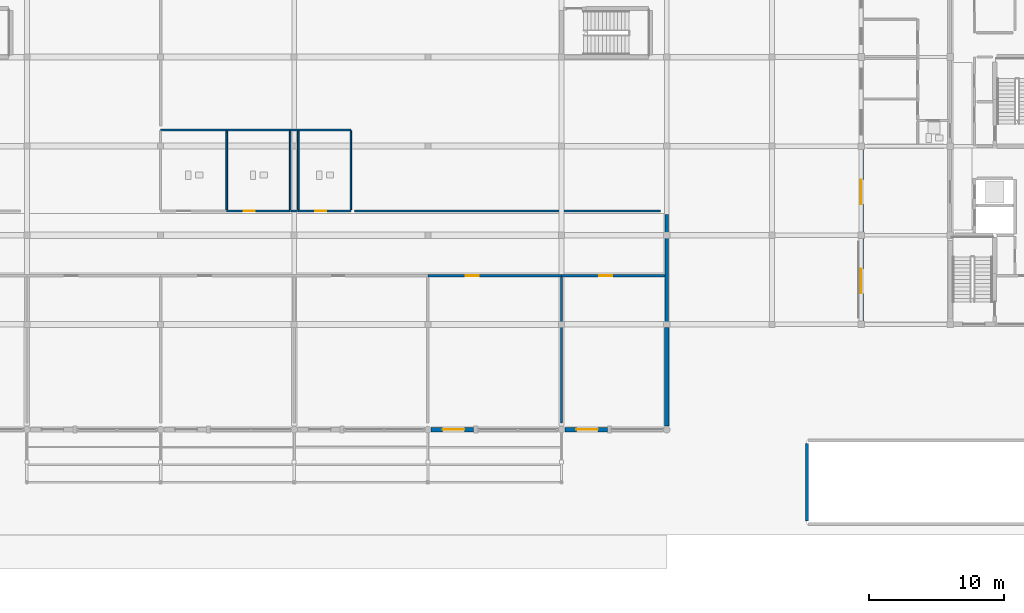
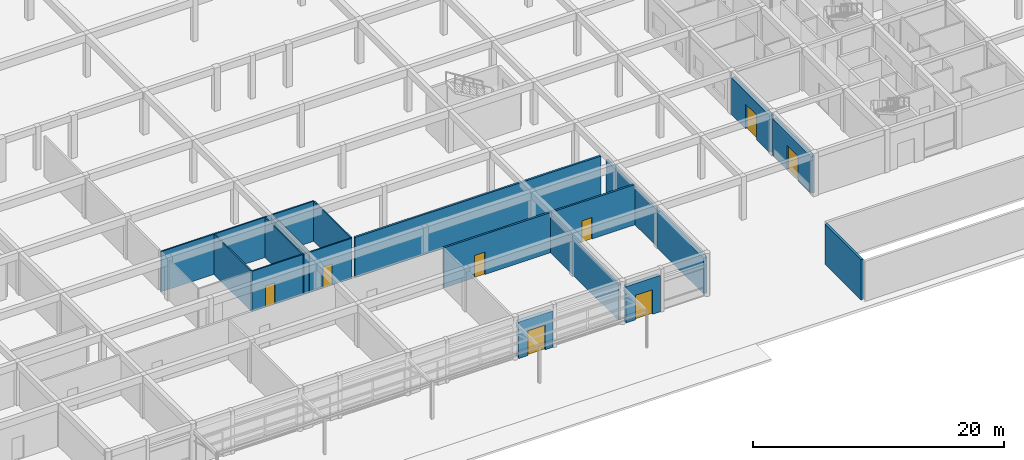
# One storey, part 52 of 75: 19 walls, 8 doors, 8 openings.
"""IFC4 building model written with IfcOpenShell, lengths in metres."""

from ifc_helpers import new_model, si_unit, direction, frame, frame_2d, origin, place, context, subcontext, project, spatial, rectangle, extrude, material, layer, layer_set, type_object, element, fill, save


model = new_model("IFC4")

# Units and contexts
model_context = context("Model", 3, precision=1e-05, world=origin(), true_north=direction((0.0, 1.0)))
body_context = subcontext(model_context, "Body", "Model", "MODEL_VIEW")
ifc_project = project(units=[si_unit("LENGTHUNIT", "METRE"), si_unit("AREAUNIT", "SQUARE_METRE"), si_unit("VOLUMEUNIT", "CUBIC_METRE"), si_unit("PLANEANGLEUNIT", "RADIAN"), si_unit("MASSUNIT", "GRAM", prefix="KILO")], contexts=[model_context])

# Site, building, storey
site_placement = place(None, origin())
site = spatial("IfcSite", under=ifc_project, at=site_placement, CompositionType="ELEMENT")
building_placement = place(site_placement, origin())
building = spatial("IfcBuilding", under=site, at=building_placement, Name="Kernevlak Ridge Housing Community", CompositionType="ELEMENT")
storey_placement = place(building_placement, origin())
storey = spatial("IfcBuildingStorey", under=building, at=storey_placement, Name="L00", CompositionType="ELEMENT", Elevation=0.0)

# Wall, opening, door
ifc_material_1 = material(Name="Concrete block masonry M10", Category="masonry")
ifc_layer_1 = layer(ifc_material_1, 0.340087890625, Name="Concrete block masonry M10")
ifc_layer_set_1 = layer_set([ifc_layer_1], Name="Concrete block masonry M10")
wall_type_1 = type_object("IfcWallType", Name="EW-04", PredefinedType="STANDARD", material=ifc_layer_set_1)
wall_1_placement = place(storey_placement, frame((126.0, 15.85009765625, 0.0), z_axis=(0.0, 0.0, 1.0), x_axis=(0.0, 1.0, 0.0)))
wall_1 = element("IfcWall", 1, at=wall_1_placement, inside=storey, type_object=wall_type_1, Name="Exterior wall EW-04 L00 534", PredefinedType="STANDARD", context=body_context, shape_type="SweptSolid", body=[
    extrude(rectangle(XDim=6.099853515625, YDim=0.340087890625, at=frame_2d((3.0498046875, 0.0))), origin(), (0.0, 0.0, 1.0), 3.60009765625),
])
opening_1_placement = place(wall_1_placement, frame((2.050048828125, 0.0, 0.0)))
opening_1 = element("IfcOpeningElement", 2, at=opening_1_placement, cuts=wall_1, Name="Opening E075", PredefinedType="OPENING", context=body_context, shape_type="SweptSolid", body=[
    extrude(rectangle(XDim=1.800048828125, YDim=2.39990234375, at=frame_2d((0.89990234375, 1.199951171875))), frame((0.0, 0.179931640625, 0.0), z_axis=(0.0, -1.0, 0.0), x_axis=(1.0, 0.0, 0.0)), (0.0, 0.0, 1.0), 0.360107421875),
])
ifc_material_2 = material(Name="Aluminium EN AW-6060 and laminated safety glass", Category="aluminium")
door_type_1 = type_object("IfcDoorType", Name="DT-10", OperationType="DOUBLE_DOOR_SINGLE_SWING", PredefinedType="DOOR", material=ifc_material_2)
door_1_placement = place(opening_1_placement, origin())
door_1 = element("IfcDoor", 3, at=door_1_placement, inside=storey, type_object=door_type_1, Name="Block C Main pedestrian entrance exit E075", OperationType="DOUBLE_DOOR_SINGLE_SWING", OverallHeight=2.39990234375, OverallWidth=1.800048828125, PredefinedType="DOOR", context=body_context, shape_type="SweptSolid", body=[
    extrude(rectangle(XDim=1.800048828125, YDim=2.39990234375, at=frame_2d((0.89990234375, 1.199951171875))), frame((0.0, 0.02490234375, 0.0), z_axis=(0.0, -1.0, 0.0), x_axis=(1.0, 0.0, 0.0)), (0.0, 0.0, 1.0), 0.050048828125),
])
fill(opening_1, door_1)

wall_2_placement = place(storey_placement, frame((126.0, 22.449951171875, 0.0), z_axis=(0.0, 0.0, 1.0), x_axis=(0.0, 1.0, 0.0)))
wall_2 = element("IfcWall", 4, at=wall_2_placement, inside=storey, type_object=wall_type_1, Name="Exterior wall EW-04 L00 535", PredefinedType="STANDARD", context=body_context, shape_type="SweptSolid", body=[
    extrude(rectangle(XDim=6.10009765625, YDim=0.340087890625, at=frame_2d((3.050048828125, 0.0))), origin(), (0.0, 0.0, 1.0), 3.60009765625),
])
opening_2_placement = place(wall_2_placement, frame((2.050048828125, 0.0, 0.0)))
opening_2 = element("IfcOpeningElement", 5, at=opening_2_placement, cuts=wall_2, Name="Opening E076", PredefinedType="OPENING", context=body_context, shape_type="SweptSolid", body=[
    extrude(rectangle(XDim=1.800048828125, YDim=2.39990234375, at=frame_2d((0.89990234375, 1.199951171875))), frame((0.0, 0.179931640625, 0.0), z_axis=(0.0, -1.0, 0.0), x_axis=(1.0, 0.0, 0.0)), (0.0, 0.0, 1.0), 0.360107421875),
])
door_2_placement = place(opening_2_placement, origin())
door_2 = element("IfcDoor", 6, at=door_2_placement, inside=storey, type_object=door_type_1, Name="Block C Main pedestrian entrance exit E076", OperationType="DOUBLE_DOOR_SINGLE_SWING", OverallHeight=2.39990234375, OverallWidth=1.800048828125, PredefinedType="DOOR", context=body_context, shape_type="SweptSolid", body=[
    extrude(rectangle(XDim=1.800048828125, YDim=2.39990234375, at=frame_2d((0.89990234375, 1.199951171875))), frame((0.0, 0.02490234375, 0.0), z_axis=(0.0, -1.0, 0.0), x_axis=(1.0, 0.0, 0.0)), (0.0, 0.0, 1.0), 0.050048828125),
])
fill(opening_2, door_2)

wall_3_placement = place(storey_placement, frame((94.14990234375, 7.800048828125, 0.0), z_axis=(0.0, 0.0, 1.0), x_axis=(1.0, 0.0, 0.0)))
wall_3 = element("IfcWall", 7, at=wall_3_placement, inside=storey, type_object=wall_type_1, Name="Exterior wall EW-04 L00 907", PredefinedType="STANDARD", context=body_context, shape_type="SweptSolid", body=[
    extrude(rectangle(XDim=3.150146484375, YDim=0.340087890625, at=frame_2d((1.5751953125, 0.0))), origin(), (0.0, 0.0, 1.0), 3.550048828125),
])
opening_3_placement = place(wall_3_placement, frame((0.85009765625, 0.0, 0.0)))
opening_3 = element("IfcOpeningElement", 8, at=opening_3_placement, cuts=wall_3, Name="Opening E804", PredefinedType="OPENING", context=body_context, shape_type="SweptSolid", body=[
    extrude(rectangle(XDim=1.60009765625, YDim=2.39990234375, at=frame_2d((0.800048828125, 1.199951171875))), frame((0.0, 0.179931640625, 0.0), z_axis=(0.0, -1.0, 0.0), x_axis=(1.0, 0.0, 0.0)), (0.0, 0.0, 1.0), 0.360107421875),
])
door_type_2 = type_object("IfcDoorType", Name="DT-13", OperationType="DOUBLE_DOOR_SINGLE_SWING", PredefinedType="DOOR", material=ifc_material_2)
door_3_placement = place(opening_3_placement, origin())
door_3 = element("IfcDoor", 9, at=door_3_placement, inside=storey, type_object=door_type_2, Name="Retail Shop 5 street entrance exit E804", OperationType="DOUBLE_DOOR_SINGLE_SWING", OverallHeight=2.39990234375, OverallWidth=1.60009765625, PredefinedType="DOOR", context=body_context, shape_type="SweptSolid", body=[
    extrude(rectangle(XDim=1.60009765625, YDim=2.39990234375, at=frame_2d((0.800048828125, 1.199951171875))), frame((0.0, 0.02490234375, 0.0), z_axis=(0.0, -1.0, 0.0), x_axis=(1.0, 0.0, 0.0)), (0.0, 0.0, 1.0), 0.050048828125),
])
fill(opening_3, door_3)

wall_4_placement = place(storey_placement, frame((104.050048828125, 7.800048828125, 0.0), z_axis=(0.0, 0.0, 1.0), x_axis=(1.0, 0.0, 0.0)))
wall_4 = element("IfcWall", 10, at=wall_4_placement, inside=storey, type_object=wall_type_1, Name="Exterior wall EW-04 L00 908", PredefinedType="STANDARD", context=body_context, shape_type="SweptSolid", body=[
    extrude(rectangle(XDim=3.14990234375, YDim=0.340087890625, at=frame_2d((1.574951171875, 0.0))), origin(), (0.0, 0.0, 1.0), 3.550048828125),
])
opening_4_placement = place(wall_4_placement, frame((0.85009765625, 0.0, 0.0)))
opening_4 = element("IfcOpeningElement", 11, at=opening_4_placement, cuts=wall_4, Name="Opening E806", PredefinedType="OPENING", context=body_context, shape_type="SweptSolid", body=[
    extrude(rectangle(XDim=1.60009765625, YDim=2.39990234375, at=frame_2d((0.800048828125, 1.199951171875))), frame((0.0, 0.179931640625, 0.0), z_axis=(0.0, -1.0, 0.0), x_axis=(1.0, 0.0, 0.0)), (0.0, 0.0, 1.0), 0.360107421875),
])
door_4_placement = place(opening_4_placement, origin())
door_4 = element("IfcDoor", 12, at=door_4_placement, inside=storey, type_object=door_type_2, Name="Retail Shop 6 street entrance exit E806", OperationType="DOUBLE_DOOR_SINGLE_SWING", OverallHeight=2.39990234375, OverallWidth=1.60009765625, PredefinedType="DOOR", context=body_context, shape_type="SweptSolid", body=[
    extrude(rectangle(XDim=1.60009765625, YDim=2.39990234375, at=frame_2d((0.800048828125, 1.199951171875))), frame((0.0, 0.02490234375, 0.0), z_axis=(0.0, -1.0, 0.0), x_axis=(1.0, 0.0, 0.0)), (0.0, 0.0, 1.0), 0.050048828125),
])
fill(opening_4, door_4)

# Walls
wall_5_placement = place(storey_placement, frame((111.60009765625, 8.050048828125, 0.0), z_axis=(0.0, 0.0, 1.0), x_axis=(0.0, 1.0, 0.0)))
element("IfcWall", 13, at=wall_5_placement, inside=storey, type_object=wall_type_1, Name="Exterior wall EW-04 L00 910", PredefinedType="STANDARD", context=body_context, shape_type="SweptSolid", body=[
    extrude(rectangle(XDim=7.324951171875, YDim=0.340087890625, at=frame_2d((3.66259765625, 0.0))), origin(), (0.0, 0.0, 1.0), 3.5),
])
ifc_material_3 = material(Name="Concrete C35/45", Category="concrete")
ifc_layer_2 = layer(ifc_material_3, 0.22509765625, Name="Concrete C35/45")
ifc_layer_set_2 = layer_set([ifc_layer_2], Name="Concrete C35/45")
wall_type_2 = type_object("IfcWallType", Name="PW-01", PredefinedType="STANDARD", material=ifc_layer_set_2)
wall_6_placement = place(storey_placement, frame((122.0, 1.030029296875, 0.0), z_axis=(0.0, 0.0, 1.0), x_axis=(0.0, 1.0, 0.0)))
element("IfcWall", 14, at=wall_6_placement, inside=storey, type_object=wall_type_2, Name="Interior wall PW-01 WAL-INT-L00-3542", PredefinedType="STANDARD", context=body_context, shape_type="SweptSolid", body=[
    extrude(rectangle(XDim=5.739990234375, YDim=0.22509765625, at=frame_2d((2.8701171875, 0.0))), origin(), (0.0, 0.0, 1.0), 3.919921875),
])
wall_7_placement = place(storey_placement, frame((111.60009765625, 15.386962890625, 0.0), z_axis=(0.0, 0.0, 1.0), x_axis=(0.0, 1.0, 0.0)))
element("IfcWall", 15, at=wall_7_placement, inside=storey, type_object=wall_type_2, Name="Interior wall PW-01 WAL-INT-L00-3546", PredefinedType="STANDARD", context=body_context, shape_type="SweptSolid", body=[
    extrude(rectangle(XDim=8.3330078125, YDim=0.22509765625, at=frame_2d((4.16650390625, 0.0))), origin(), (0.0, 0.0, 1.0), 3.550048828125),
])

# Wall, opening, door
ifc_layer_3 = layer(ifc_material_1, 0.175048828125, Name="Concrete block masonry M10")
ifc_layer_set_3 = layer_set([ifc_layer_3], Name="Concrete block masonry M10")
wall_type_3 = type_object("IfcWallType", Name="PW-02", PredefinedType="PARTITIONING", material=ifc_layer_set_3)
wall_8_placement = place(storey_placement, frame((93.89990234375, 19.199951171875, 0.0), z_axis=(0.0, 0.0, 1.0), x_axis=(1.0, 0.0, 0.0)))
wall_8 = element("IfcWall", 16, at=wall_8_placement, inside=storey, type_object=wall_type_3, Name="Interior wall PW-02 WAL-INT-L00-3554", PredefinedType="PARTITIONING", context=body_context, shape_type="SweptSolid", body=[
    extrude(rectangle(XDim=9.900146484375, YDim=0.175048828125, at=frame_2d((4.9501953125, 0.0))), origin(), (0.0, 0.0, 1.0), 3.919921875),
])
opening_5_placement = place(wall_8_placement, frame((2.800048828125, 0.0, 0.0)))
opening_5 = element("IfcOpeningElement", 17, at=opening_5_placement, cuts=wall_8, Name="Opening E803", PredefinedType="OPENING", context=body_context, shape_type="SweptSolid", body=[
    extrude(rectangle(XDim=0.9599609375, YDim=2.179931640625, at=frame_2d((0.47998046875, 1.08984375))), frame((0.0, 0.097412109375, 0.0), z_axis=(0.0, -1.0, 0.0), x_axis=(1.0, 0.0, 0.0)), (0.0, 0.0, 1.0), 0.195068359375),
])
ifc_material_4 = material(Name="Hardwood timber solid-core fire leaf", Category="wood")
door_type_3 = type_object("IfcDoorType", Name="DT-29", OperationType="NOTDEFINED", PredefinedType="DOOR", material=ifc_material_4)
door_5_placement = place(opening_5_placement, origin())
door_5 = element("IfcDoor", 18, at=door_5_placement, inside=storey, type_object=door_type_3, Name="Retail Shop 5 arcade fire door E803", OperationType="SINGLE_SWING_RIGHT", OverallHeight=2.179931640625, OverallWidth=0.9599609375, PredefinedType="DOOR", context=body_context, shape_type="SweptSolid", body=[
    extrude(rectangle(XDim=0.9599609375, YDim=2.179931640625, at=frame_2d((0.47998046875, 1.08984375))), frame((0.0, 0.02490234375, 0.0), z_axis=(0.0, -1.0, 0.0), x_axis=(1.0, 0.0, 0.0)), (0.0, 0.0, 1.0), 0.050048828125),
])
fill(opening_5, door_5)

wall_9_placement = place(storey_placement, frame((103.800048828125, 19.199951171875, 0.0), z_axis=(0.0, 0.0, 1.0), x_axis=(1.0, 0.0, 0.0)))
wall_9 = element("IfcWall", 19, at=wall_9_placement, inside=storey, type_object=wall_type_3, Name="Interior wall PW-02 WAL-INT-L00-3556", PredefinedType="PARTITIONING", context=body_context, shape_type="SweptSolid", body=[
    extrude(rectangle(XDim=7.677490234375, YDim=0.175048828125, at=frame_2d((3.8388671875, 0.0))), origin(), (0.0, 0.0, 1.0), 3.919921875),
])
opening_6_placement = place(wall_9_placement, frame((2.800048828125, 0.0, 0.0)))
opening_6 = element("IfcOpeningElement", 20, at=opening_6_placement, cuts=wall_9, Name="Opening E805", PredefinedType="OPENING", context=body_context, shape_type="SweptSolid", body=[
    extrude(rectangle(XDim=0.949951171875, YDim=2.10009765625, at=frame_2d((0.47509765625, 1.050048828125))), frame((0.0, 0.097412109375, 0.0), z_axis=(0.0, -1.0, 0.0), x_axis=(1.0, 0.0, 0.0)), (0.0, 0.0, 1.0), 0.195068359375),
])
door_type_4 = type_object("IfcDoorType", Name="DT-01", OperationType="NOTDEFINED", PredefinedType="DOOR", material=ifc_material_4)
door_6_placement = place(opening_6_placement, origin())
door_6 = element("IfcDoor", 21, at=door_6_placement, inside=storey, type_object=door_type_4, Name="Retail Shop 6 arcade fire door E805", OperationType="SINGLE_SWING_RIGHT", OverallHeight=2.10009765625, OverallWidth=0.949951171875, PredefinedType="DOOR", context=body_context, shape_type="SweptSolid", body=[
    extrude(rectangle(XDim=0.949951171875, YDim=2.10009765625, at=frame_2d((0.47509765625, 1.050048828125))), frame((0.0, 0.02490234375, 0.0), z_axis=(0.0, -1.0, 0.0), x_axis=(1.0, 0.0, 0.0)), (0.0, 0.0, 1.0), 0.050048828125),
])
fill(opening_6, door_6)

# Walls
wall_10_placement = place(storey_placement, frame((103.800048828125, 8.280029296875, 0.0), z_axis=(0.0, 0.0, 1.0), x_axis=(0.0, 1.0, 0.0)))
element("IfcWall", 22, at=wall_10_placement, inside=storey, type_object=wall_type_3, Name="Interior wall PW-02 WAL-INT-L00-3557", PredefinedType="PARTITIONING", context=body_context, shape_type="SweptSolid", body=[
    extrude(rectangle(XDim=10.822509765625, YDim=0.175048828125, at=frame_2d((5.4111328125, 0.0))), origin(), (0.0, 0.0, 1.0), 3.5),
])
wall_11_placement = place(storey_placement, frame((88.47998046875, 24.0, 0.0), z_axis=(0.0, 0.0, 1.0), x_axis=(1.0, 0.0, 0.0)))
element("IfcWall", 23, at=wall_11_placement, inside=storey, type_object=wall_type_3, Name="Interior wall PW-02 WAL-INT-L00-3559", PredefinedType="PARTITIONING", context=body_context, shape_type="SweptSolid", body=[
    extrude(rectangle(XDim=22.64013671875, YDim=0.175048828125, at=frame_2d((11.320068359375, 0.0))), origin(), (0.0, 0.0, 1.0), 3.919921875),
])
ifc_material_5 = material(Name="Gypsum plasterboard EN 520", Category="gypsum")
ifc_layer_4 = layer(ifc_material_5, 0.125, Name="Gypsum plasterboard EN 520")
ifc_layer_set_4 = layer_set([ifc_layer_4], Name="Gypsum plasterboard EN 520")
wall_type_4 = type_object("IfcWallType", Name="PW-04", PredefinedType="PARTITIONING", material=ifc_layer_set_4)
wall_12_placement = place(storey_placement, frame((74.10009765625, 30.0, 0.0), z_axis=(0.0, 0.0, 1.0), x_axis=(1.0, 0.0, 0.0)))
element("IfcWall", 24, at=wall_12_placement, inside=storey, type_object=wall_type_4, Name="Interior wall PW-04 WAL-INT-L00-3562", PredefinedType="PARTITIONING", context=body_context, shape_type="SweptSolid", body=[
    extrude(rectangle(XDim=14.099853515625, YDim=0.125, at=frame_2d((7.0498046875, 0.0))), origin(), (0.0, 0.0, 1.0), 3.919921875),
])

# Wall, opening, door
wall_13_placement = place(storey_placement, frame((79.0, 24.0, 0.0), z_axis=(0.0, 0.0, 1.0), x_axis=(1.0, 0.0, 0.0)))
wall_13 = element("IfcWall", 25, at=wall_13_placement, inside=storey, type_object=wall_type_4, Name="Interior wall PW-04 WAL-INT-L00-3565", PredefinedType="PARTITIONING", context=body_context, shape_type="SweptSolid", body=[
    extrude(rectangle(XDim=4.699951171875, YDim=0.125, at=frame_2d((2.35009765625, 0.0))), origin(), (0.0, 0.0, 1.0), 3.919921875),
])
opening_7_placement = place(wall_13_placement, frame((1.25, 0.0, 0.0)))
opening_7 = element("IfcOpeningElement", 26, at=opening_7_placement, cuts=wall_13, Name="Opening E808", PredefinedType="OPENING", context=body_context, shape_type="SweptSolid", body=[
    extrude(rectangle(XDim=0.840087890625, YDim=2.06005859375, at=frame_2d((0.419921875, 1.030029296875))), frame((0.0, 0.072509765625, 0.0), z_axis=(0.0, -1.0, 0.0), x_axis=(1.0, 0.0, 0.0)), (0.0, 0.0, 1.0), 0.14501953125),
])
ifc_material_6 = material(Name="Hardwood timber moisture-resistant leaf", Category="wood")
door_type_5 = type_object("IfcDoorType", Name="DT-27", OperationType="NOTDEFINED", PredefinedType="DOOR", material=ifc_material_6)
door_7_placement = place(opening_7_placement, origin())
door_7 = element("IfcDoor", 27, at=door_7_placement, inside=storey, type_object=door_type_5, Name="Retail Arcade Female WC door E808", OperationType="SINGLE_SWING_LEFT", OverallHeight=2.06005859375, OverallWidth=0.840087890625, PredefinedType="DOOR", context=body_context, shape_type="SweptSolid", body=[
    extrude(rectangle(XDim=0.840087890625, YDim=2.06005859375, at=frame_2d((0.419921875, 1.030029296875))), frame((0.0, 0.02490234375, 0.0), z_axis=(0.0, -1.0, 0.0), x_axis=(1.0, 0.0, 0.0)), (0.0, 0.0, 1.0), 0.050048828125),
])
fill(opening_7, door_7)

# Wall
wall_14_placement = place(storey_placement, frame((79.0, 24.072509765625, 0.0), z_axis=(0.0, 0.0, 1.0), x_axis=(0.0, 1.0, 0.0)))
element("IfcWall", 28, at=wall_14_placement, inside=storey, type_object=wall_type_4, Name="Interior wall PW-04 WAL-INT-L00-3566", PredefinedType="PARTITIONING", context=body_context, shape_type="SweptSolid", body=[
    extrude(rectangle(XDim=5.85498046875, YDim=0.125, at=frame_2d((2.927490234375, 0.0))), origin(), (0.0, 0.0, 1.0), 3.919921875),
])

# Wall, opening, door
wall_15_placement = place(storey_placement, frame((84.300048828125, 24.0, 0.0), z_axis=(0.0, 0.0, 1.0), x_axis=(1.0, 0.0, 0.0)))
wall_15 = element("IfcWall", 29, at=wall_15_placement, inside=storey, type_object=wall_type_4, Name="Interior wall PW-04 WAL-INT-L00-3567", PredefinedType="PARTITIONING", context=body_context, shape_type="SweptSolid", body=[
    extrude(rectangle(XDim=3.89990234375, YDim=0.125, at=frame_2d((1.949951171875, 0.0))), origin(), (0.0, 0.0, 1.0), 3.919921875),
])
opening_8_placement = place(wall_15_placement, frame((1.25, 0.0, 0.0)))
opening_8 = element("IfcOpeningElement", 30, at=opening_8_placement, cuts=wall_15, Name="Opening E809", PredefinedType="OPENING", context=body_context, shape_type="SweptSolid", body=[
    extrude(rectangle(XDim=0.820068359375, YDim=2.050048828125, at=frame_2d((0.41015625, 1.02490234375))), frame((0.0, 0.072509765625, 0.0), z_axis=(0.0, -1.0, 0.0), x_axis=(1.0, 0.0, 0.0)), (0.0, 0.0, 1.0), 0.14501953125),
])
door_type_6 = type_object("IfcDoorType", Name="DT-30", OperationType="NOTDEFINED", PredefinedType="DOOR", material=ifc_material_6)
door_8_placement = place(opening_8_placement, origin())
door_8 = element("IfcDoor", 31, at=door_8_placement, inside=storey, type_object=door_type_6, Name="Retail Arcade Accessible WC door E809", OperationType="SINGLE_SWING_RIGHT", OverallHeight=2.050048828125, OverallWidth=0.820068359375, PredefinedType="DOOR", context=body_context, shape_type="SweptSolid", body=[
    extrude(rectangle(XDim=0.820068359375, YDim=2.050048828125, at=frame_2d((0.41015625, 1.02490234375))), frame((0.0, 0.02490234375, 0.0), z_axis=(0.0, -1.0, 0.0), x_axis=(1.0, 0.0, 0.0)), (0.0, 0.0, 1.0), 0.050048828125),
])
fill(opening_8, door_8)

# Walls
for number, where, z_axis, x_axis, name in (
    (32, (84.300048828125, 24.072509765625, 0.0), (0.0, 0.0, 1.0), (0.0, 1.0, 0.0), "Interior wall PW-04 WAL-INT-L00-3568"),
    (33, (83.699951171875, 24.072509765625, 0.0), (0.0, 0.0, 1.0), (0.0, 1.0, 0.0), "Interior wall PW-04 WAL-INT-L00-3569"),
):
    element("IfcWall", number, at=place(storey_placement, frame(where, z_axis=z_axis, x_axis=x_axis)), inside=storey, type_object=wall_type_4, Name=name, PredefinedType="PARTITIONING", context=body_context, shape_type="SweptSolid", body=[
        extrude(rectangle(XDim=5.85498046875, YDim=0.125, at=frame_2d((2.927490234375, 0.0))), origin(), (0.0, 0.0, 1.0), 3.919921875),
    ])
wall_16_placement = place(storey_placement, frame((83.7724609375, 24.0, 0.0), z_axis=(0.0, 0.0, 1.0), x_axis=(1.0, 0.0, 0.0)))
element("IfcWall", 34, at=wall_16_placement, inside=storey, type_object=wall_type_4, Name="Interior wall PW-04 WAL-INT-L00-3570", PredefinedType="PARTITIONING", context=body_context, shape_type="SweptSolid", body=[
    extrude(rectangle(XDim=0.455078125, YDim=0.125, at=frame_2d((0.2275390625, 0.0))), origin(), (0.0, 0.0, 1.0), 3.919921875),
])
wall_17_placement = place(storey_placement, frame((88.199951171875, 24.072509765625, 0.0), z_axis=(0.0, 0.0, 1.0), x_axis=(0.0, 1.0, 0.0)))
element("IfcWall", 35, at=wall_17_placement, inside=storey, type_object=wall_type_4, Name="Interior wall PW-04 WAL-INT-L00-3571", PredefinedType="PARTITIONING", context=body_context, shape_type="SweptSolid", body=[
    extrude(rectangle(XDim=5.85498046875, YDim=0.125, at=frame_2d((2.927490234375, 0.0))), origin(), (0.0, 0.0, 1.0), 3.919921875),
])

save(model, "model.ifc")
